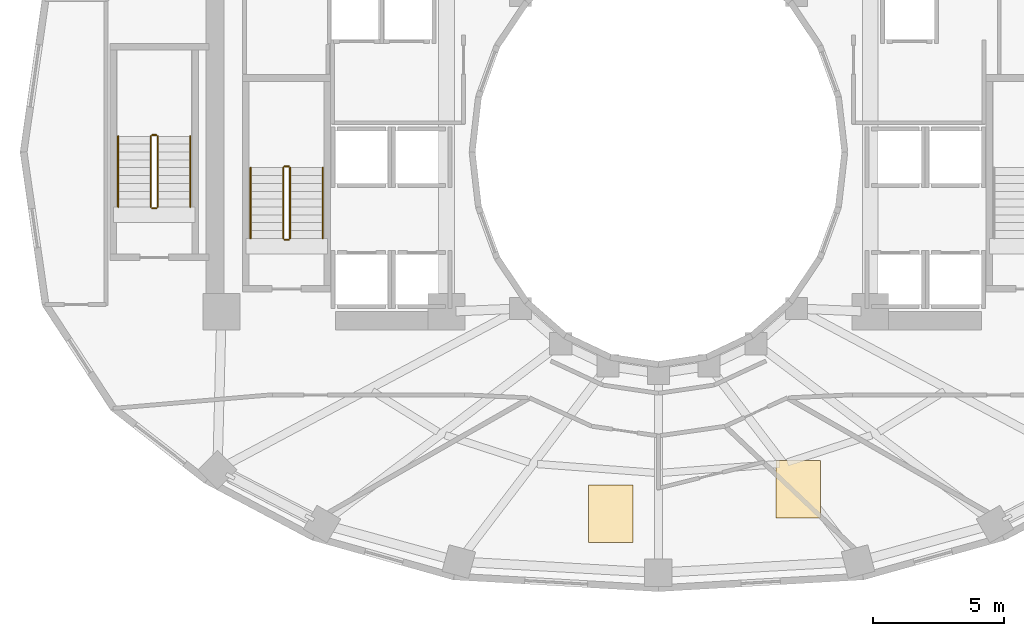
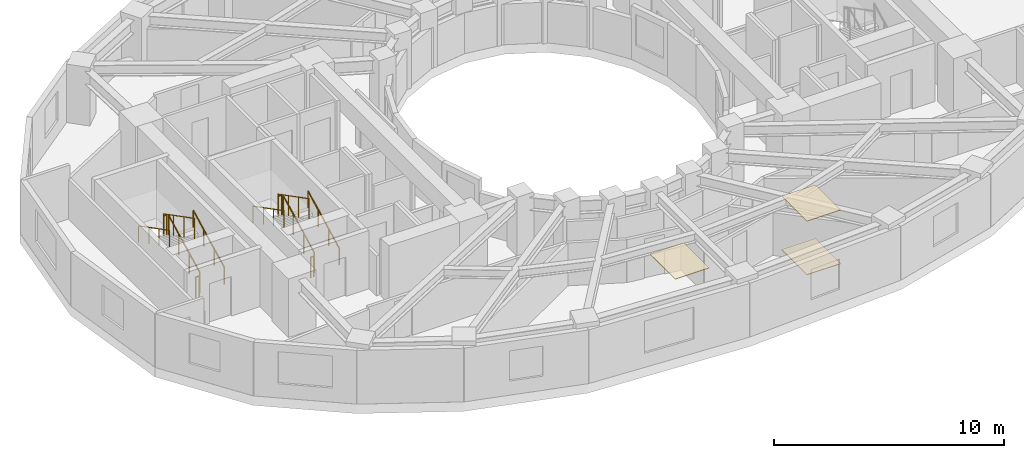
# One storey, part 11 of 13: 12 railings, 3 coverings.
"""IFC4 building model written with IfcOpenShell, lengths in metres."""

from ifc_helpers import new_model, si_unit, direction, frame, origin, origin_2d, place, context, subcontext, project, spatial, polyline, circle, outline, extrude, material, layer, layer_set, type_object, element, save


model = new_model("IFC4")

# Units and contexts
model_context = context("Model", 3, precision=1e-05, world=origin(), true_north=direction((0.0, 1.0)))
body_context = subcontext(model_context, "Body", "Model", "MODEL_VIEW")
ifc_project = project(units=[si_unit("LENGTHUNIT", "METRE"), si_unit("AREAUNIT", "SQUARE_METRE"), si_unit("VOLUMEUNIT", "CUBIC_METRE"), si_unit("PLANEANGLEUNIT", "RADIAN"), si_unit("MASSUNIT", "GRAM", prefix="KILO")], contexts=[model_context])

# Site, building, storey
site_placement = place(None, origin())
site = spatial("IfcSite", under=ifc_project, at=site_placement, CompositionType="ELEMENT")
building_placement = place(site_placement, origin())
building = spatial("IfcBuilding", under=site, at=building_placement, Name="Solvane Sanctuary Tower", CompositionType="ELEMENT")
storey_placement = place(building_placement, frame((0.0, 0.0, 85.60009765625)))
storey = spatial("IfcBuildingStorey", under=building, at=storey_placement, Name="L25", CompositionType="ELEMENT", Elevation=85.60009765625)

# Coverings
ifc_material_1 = material(Name="Acoustic Gypsum Partition Board")
ifc_layer_1 = layer(ifc_material_1, 0.02490234375, Name="Acoustic Gypsum Partition Board")
ifc_layer_set_1 = layer_set([ifc_layer_1], Name="Acoustic Gypsum Partition Board")
covering_type_1 = type_object("IfcCoveringType", Name="Covering CLG-ACOUST", PredefinedType="CEILING", material=ifc_layer_set_1)
covering_1_placement = place(storey_placement, frame((0.0, 0.0, 2.849853515625)))
element("IfcCovering", 1, at=covering_1_placement, inside=storey, type_object=covering_type_1, Name="L25 Unit Acoustic Ceiling Panel 3", PredefinedType="CEILING", context=body_context, shape_type="SweptSolid", body=[
    extrude(outline(polyline([(29.3291015625, 8.069091796875), (31.029052734375, 8.069091796875), (31.029052734375, 10.26904296875), (29.3291015625, 10.26904296875), (29.3291015625, 8.069091796875)])), origin(), (0.0, 0.0, 1.0), 0.030029296875),
])
covering_2_placement = place(storey_placement, frame((0.0, 0.0, 2.849853515625)))
element("IfcCovering", 2, at=covering_2_placement, inside=storey, type_object=covering_type_1, Name="L25 Unit Acoustic Ceiling Panel 4", PredefinedType="CEILING", context=body_context, shape_type="SweptSolid", body=[
    extrude(outline(polyline([(36.488037109375, 9.011962890625), (38.18798828125, 9.011962890625), (38.18798828125, 11.2119140625), (36.488037109375, 11.2119140625), (36.488037109375, 9.011962890625)])), origin(), (0.0, 0.0, 1.0), 0.030029296875),
])
ifc_material_2 = material(Name="Ceramic Tile Finish")
ifc_layer_2 = layer(ifc_material_2, 0.030029296875, Name="Ceramic Tile Finish")
ifc_layer_set_2 = layer_set([ifc_layer_2], Name="Ceramic Tile Finish")
covering_type_2 = type_object("IfcCoveringType", Name="Covering FLR-TERRAZZO", PredefinedType="FLOORING", material=ifc_layer_set_2)
covering_3_placement = place(storey_placement, origin())
element("IfcCovering", 3, at=covering_3_placement, inside=storey, type_object=covering_type_2, Name="L25 Unit Terrazzo Inlay 4", PredefinedType="FLOORING", context=body_context, shape_type="SweptSolid", body=[
    extrude(outline(polyline([(36.488037109375, 9.011962890625), (38.18798828125, 9.011962890625), (38.18798828125, 11.2119140625), (36.488037109375, 11.2119140625), (36.488037109375, 9.011962890625)])), origin(), (0.0, 0.0, 1.0), 0.034912109375),
])

# Railings
ifc_material_3 = material(Name="Architectural Stainless Steel 316", Category="steel")
railing_type_1 = type_object("IfcRailingType", Name="Railing GR-BALC-1150", PredefinedType="BALUSTRADE", material=ifc_material_3)
railing_1_placement = place(storey_placement, frame((17.919921875, 19.699951171875, 0.15478515625)))
element("IfcRailing", 4, at=railing_1_placement, inside=storey, type_object=railing_type_1, Name="L25 ST-1 stair guard 1", PredefinedType="BALUSTRADE", context=body_context, shape_type="SweptSolid", body=[
    extrude(circle(Radius=0.02392578125, at=origin_2d()), frame((0.0, 0.0, 1.076171875), z_axis=(0.0, 0.888419900624, 0.459031676658), x_axis=(-1.0, 0.0, 0.0)), (0.0, 0.0, 1.0), 3.0390625),
    extrude(circle(Radius=0.02099609375, at=origin_2d()), origin(), (0.0, 0.0, 1.0), 1.052001953125),
    extrude(circle(Radius=0.02099609375, at=origin_2d()), frame((0.0, 0.89990234375, 0.465087890625)), (0.0, 0.0, 1.0), 1.052001953125),
    extrude(circle(Radius=0.02099609375, at=origin_2d()), frame((0.0, 1.800048828125, 0.929931640625)), (0.0, 0.0, 1.0), 1.052001953125),
    extrude(circle(Radius=0.02099609375, at=origin_2d()), frame((0.0, 2.699951171875, 1.39501953125)), (0.0, 0.0, 1.0), 1.052001953125),
])
railing_2_placement = place(storey_placement, frame((17.8701171875, 22.449951171875, 1.5498046875)))
element("IfcRailing", 5, at=railing_2_placement, inside=storey, type_object=railing_type_1, Name="L25 ST-1 stair guard 2", PredefinedType="BALUSTRADE", context=body_context, shape_type="SweptSolid", body=[
    extrude(circle(Radius=0.02392578125, at=origin_2d()), frame((0.0, 0.0, 1.076171875), z_axis=(-1.0, 0.0, 0.0), x_axis=(0.0, -1.0, 0.0)), (0.0, 0.0, 1.0), 0.16015625),
    extrude(circle(Radius=0.02099609375, at=origin_2d()), origin(), (0.0, 0.0, 1.0), 1.052001953125),
    extrude(circle(Radius=0.02099609375, at=origin_2d()), frame((-0.16015625, 0.0, 0.0)), (0.0, 0.0, 1.0), 1.052001953125),
])
railing_3_placement = place(storey_placement, frame((17.659912109375, 22.39990234375, 1.704833984375)))
element("IfcRailing", 6, at=railing_3_placement, inside=storey, type_object=railing_type_1, Name="L25 ST-1 stair guard 3", PredefinedType="BALUSTRADE", context=body_context, shape_type="SweptSolid", body=[
    extrude(circle(Radius=0.02392578125, at=origin_2d()), frame((0.0, 0.0, 1.076171875), z_axis=(0.0, -0.888419900624, 0.459031676658), x_axis=(1.0, 0.0, 0.0)), (0.0, 0.0, 1.0), 3.0390625),
    extrude(circle(Radius=0.02099609375, at=origin_2d()), origin(), (0.0, 0.0, 1.0), 1.052001953125),
    extrude(circle(Radius=0.02099609375, at=origin_2d()), frame((0.0, -0.89990234375, 0.465087890625)), (0.0, 0.0, 1.0), 1.052001953125),
    extrude(circle(Radius=0.02099609375, at=origin_2d()), frame((0.0, -1.800048828125, 0.929931640625)), (0.0, 0.0, 1.0), 1.052001953125),
    extrude(circle(Radius=0.02099609375, at=origin_2d()), frame((0.0, -2.699951171875, 1.39501953125)), (0.0, 0.0, 1.0), 1.052001953125),
])
railing_4_placement = place(storey_placement, frame((17.8701171875, 19.64990234375, 0.0)))
element("IfcRailing", 7, at=railing_4_placement, inside=storey, type_object=railing_type_1, Name="L25 ST-1 stair guard 4", PredefinedType="BALUSTRADE", context=body_context, shape_type="SweptSolid", body=[
    extrude(circle(Radius=0.02392578125, at=origin_2d()), frame((0.0, 0.0, 1.076171875), z_axis=(-1.0, 0.0, 0.0), x_axis=(0.0, -1.0, 0.0)), (0.0, 0.0, 1.0), 0.16015625),
    extrude(circle(Radius=0.02099609375, at=origin_2d()), origin(), (0.0, 0.0, 1.0), 1.052001953125),
    extrude(circle(Radius=0.02099609375, at=origin_2d()), frame((-0.16015625, 0.0, 0.0)), (0.0, 0.0, 1.0), 1.052001953125),
])
railing_5_placement = place(storey_placement, frame((12.860107421875, 20.89990234375, 0.15478515625)))
element("IfcRailing", 8, at=railing_5_placement, inside=storey, type_object=railing_type_1, Name="L25 ST-3 stair guard 1", PredefinedType="BALUSTRADE", context=body_context, shape_type="SweptSolid", body=[
    extrude(circle(Radius=0.02392578125, at=origin_2d()), frame((0.0, 0.0, 1.076171875), z_axis=(0.0, 0.888436826113, 0.458998917216), x_axis=(-1.0, 0.0, 0.0)), (0.0, 0.0, 1.0), 3.039306640625),
    extrude(circle(Radius=0.02099609375, at=origin_2d()), origin(), (0.0, 0.0, 1.0), 1.052001953125),
    extrude(circle(Radius=0.02099609375, at=origin_2d()), frame((0.0, 0.900146484375, 0.465087890625)), (0.0, 0.0, 1.0), 1.052001953125),
    extrude(circle(Radius=0.02099609375, at=origin_2d()), frame((0.0, 1.800048828125, 0.929931640625)), (0.0, 0.0, 1.0), 1.052001953125),
    extrude(circle(Radius=0.02099609375, at=origin_2d()), frame((0.0, 2.7001953125, 1.39501953125)), (0.0, 0.0, 1.0), 1.052001953125),
])
railing_6_placement = place(storey_placement, frame((12.81005859375, 23.64990234375, 1.5498046875)))
element("IfcRailing", 9, at=railing_6_placement, inside=storey, type_object=railing_type_1, Name="L25 ST-3 stair guard 2", PredefinedType="BALUSTRADE", context=body_context, shape_type="SweptSolid", body=[
    extrude(circle(Radius=0.02392578125, at=origin_2d()), frame((0.0, 0.0, 1.076171875), z_axis=(-1.0, 0.0, 0.0), x_axis=(0.0, -1.0, 0.0)), (0.0, 0.0, 1.0), 0.16015625),
    extrude(circle(Radius=0.02099609375, at=origin_2d()), origin(), (0.0, 0.0, 1.0), 1.052001953125),
    extrude(circle(Radius=0.02099609375, at=origin_2d()), frame((-0.16015625, 0.0, 0.0)), (0.0, 0.0, 1.0), 1.052001953125),
])
railing_7_placement = place(storey_placement, frame((12.60009765625, 23.60009765625, 1.704833984375)))
element("IfcRailing", 10, at=railing_7_placement, inside=storey, type_object=railing_type_1, Name="L25 ST-3 stair guard 3", PredefinedType="BALUSTRADE", context=body_context, shape_type="SweptSolid", body=[
    extrude(circle(Radius=0.02392578125, at=origin_2d()), frame((0.0, 0.0, 1.076171875), z_axis=(0.0, -0.888436826113, 0.458998917216), x_axis=(1.0, 0.0, 0.0)), (0.0, 0.0, 1.0), 3.039306640625),
    extrude(circle(Radius=0.02099609375, at=origin_2d()), origin(), (0.0, 0.0, 1.0), 1.052001953125),
    extrude(circle(Radius=0.02099609375, at=origin_2d()), frame((0.0, -0.900146484375, 0.465087890625)), (0.0, 0.0, 1.0), 1.052001953125),
    extrude(circle(Radius=0.02099609375, at=origin_2d()), frame((0.0, -1.800048828125, 0.929931640625)), (0.0, 0.0, 1.0), 1.052001953125),
    extrude(circle(Radius=0.02099609375, at=origin_2d()), frame((0.0, -2.7001953125, 1.39501953125)), (0.0, 0.0, 1.0), 1.052001953125),
])
railing_8_placement = place(storey_placement, frame((12.81005859375, 20.85009765625, 0.0)))
element("IfcRailing", 11, at=railing_8_placement, inside=storey, type_object=railing_type_1, Name="L25 ST-3 stair guard 4", PredefinedType="BALUSTRADE", context=body_context, shape_type="SweptSolid", body=[
    extrude(circle(Radius=0.02392578125, at=origin_2d()), frame((0.0, 0.0, 1.076171875), z_axis=(-1.0, 0.0, 0.0), x_axis=(0.0, -1.0, 0.0)), (0.0, 0.0, 1.0), 0.16015625),
    extrude(circle(Radius=0.02099609375, at=origin_2d()), origin(), (0.0, 0.0, 1.0), 1.052001953125),
    extrude(circle(Radius=0.02099609375, at=origin_2d()), frame((-0.16015625, 0.0, 0.0)), (0.0, 0.0, 1.0), 1.052001953125),
])
railing_type_2 = type_object("IfcRailingType", Name="Railing HR-STAIR-920", PredefinedType="HANDRAIL", material=ifc_material_3)
railing_9_placement = place(storey_placement, frame((19.169921875, 19.699951171875, 0.15478515625)))
element("IfcRailing", 12, at=railing_9_placement, inside=storey, type_object=railing_type_2, Name="L25 ST-1 stair handrail 1", PredefinedType="HANDRAIL", context=body_context, shape_type="SweptSolid", body=[
    extrude(circle(Radius=0.02392578125, at=origin_2d()), frame((0.0, 0.0, 0.8759765625), z_axis=(0.0, 0.888419900624, 0.459031676658), x_axis=(-1.0, 0.0, 0.0)), (0.0, 0.0, 1.0), 3.0390625),
    extrude(circle(Radius=0.02099609375, at=origin_2d()), origin(), (0.0, 0.0, 1.0), 0.851806640625),
    extrude(circle(Radius=0.02099609375, at=origin_2d()), frame((0.0, 0.89990234375, 0.465087890625)), (0.0, 0.0, 1.0), 0.851806640625),
    extrude(circle(Radius=0.02099609375, at=origin_2d()), frame((0.0, 1.800048828125, 0.929931640625)), (0.0, 0.0, 1.0), 0.851806640625),
    extrude(circle(Radius=0.02099609375, at=origin_2d()), frame((0.0, 2.699951171875, 1.39501953125)), (0.0, 0.0, 1.0), 0.851806640625),
])
railing_10_placement = place(storey_placement, frame((16.409912109375, 22.39990234375, 1.704833984375)))
element("IfcRailing", 13, at=railing_10_placement, inside=storey, type_object=railing_type_2, Name="L25 ST-1 stair handrail 2", PredefinedType="HANDRAIL", context=body_context, shape_type="SweptSolid", body=[
    extrude(circle(Radius=0.02392578125, at=origin_2d()), frame((0.0, 0.0, 0.8759765625), z_axis=(0.0, -0.888419900624, 0.459031676658), x_axis=(1.0, 0.0, 0.0)), (0.0, 0.0, 1.0), 3.0390625),
    extrude(circle(Radius=0.02099609375, at=origin_2d()), origin(), (0.0, 0.0, 1.0), 0.851806640625),
    extrude(circle(Radius=0.02099609375, at=origin_2d()), frame((0.0, -0.89990234375, 0.465087890625)), (0.0, 0.0, 1.0), 0.851806640625),
    extrude(circle(Radius=0.02099609375, at=origin_2d()), frame((0.0, -1.800048828125, 0.929931640625)), (0.0, 0.0, 1.0), 0.851806640625),
    extrude(circle(Radius=0.02099609375, at=origin_2d()), frame((0.0, -2.699951171875, 1.39501953125)), (0.0, 0.0, 1.0), 0.851806640625),
])
railing_11_placement = place(storey_placement, frame((14.110107421875, 20.89990234375, 0.15478515625)))
element("IfcRailing", 14, at=railing_11_placement, inside=storey, type_object=railing_type_2, Name="L25 ST-3 stair handrail 1", PredefinedType="HANDRAIL", context=body_context, shape_type="SweptSolid", body=[
    extrude(circle(Radius=0.02392578125, at=origin_2d()), frame((0.0, 0.0, 0.8759765625), z_axis=(0.0, 0.888436826113, 0.458998917216), x_axis=(-1.0, 0.0, 0.0)), (0.0, 0.0, 1.0), 3.039306640625),
    extrude(circle(Radius=0.02099609375, at=origin_2d()), origin(), (0.0, 0.0, 1.0), 0.851806640625),
    extrude(circle(Radius=0.02099609375, at=origin_2d()), frame((0.0, 0.900146484375, 0.465087890625)), (0.0, 0.0, 1.0), 0.851806640625),
    extrude(circle(Radius=0.02099609375, at=origin_2d()), frame((0.0, 1.800048828125, 0.929931640625)), (0.0, 0.0, 1.0), 0.851806640625),
    extrude(circle(Radius=0.02099609375, at=origin_2d()), frame((0.0, 2.7001953125, 1.39501953125)), (0.0, 0.0, 1.0), 0.851806640625),
])
railing_12_placement = place(storey_placement, frame((11.35009765625, 23.60009765625, 1.704833984375)))
element("IfcRailing", 15, at=railing_12_placement, inside=storey, type_object=railing_type_2, Name="L25 ST-3 stair handrail 2", PredefinedType="HANDRAIL", context=body_context, shape_type="SweptSolid", body=[
    extrude(circle(Radius=0.02392578125, at=origin_2d()), frame((0.0, 0.0, 0.8759765625), z_axis=(0.0, -0.888436826113, 0.458998917216), x_axis=(1.0, 0.0, 0.0)), (0.0, 0.0, 1.0), 3.039306640625),
    extrude(circle(Radius=0.02099609375, at=origin_2d()), origin(), (0.0, 0.0, 1.0), 0.851806640625),
    extrude(circle(Radius=0.02099609375, at=origin_2d()), frame((0.0, -0.900146484375, 0.465087890625)), (0.0, 0.0, 1.0), 0.851806640625),
    extrude(circle(Radius=0.02099609375, at=origin_2d()), frame((0.0, -1.800048828125, 0.929931640625)), (0.0, 0.0, 1.0), 0.851806640625),
    extrude(circle(Radius=0.02099609375, at=origin_2d()), frame((0.0, -2.7001953125, 1.39501953125)), (0.0, 0.0, 1.0), 0.851806640625),
])

save(model, "model.ifc")
